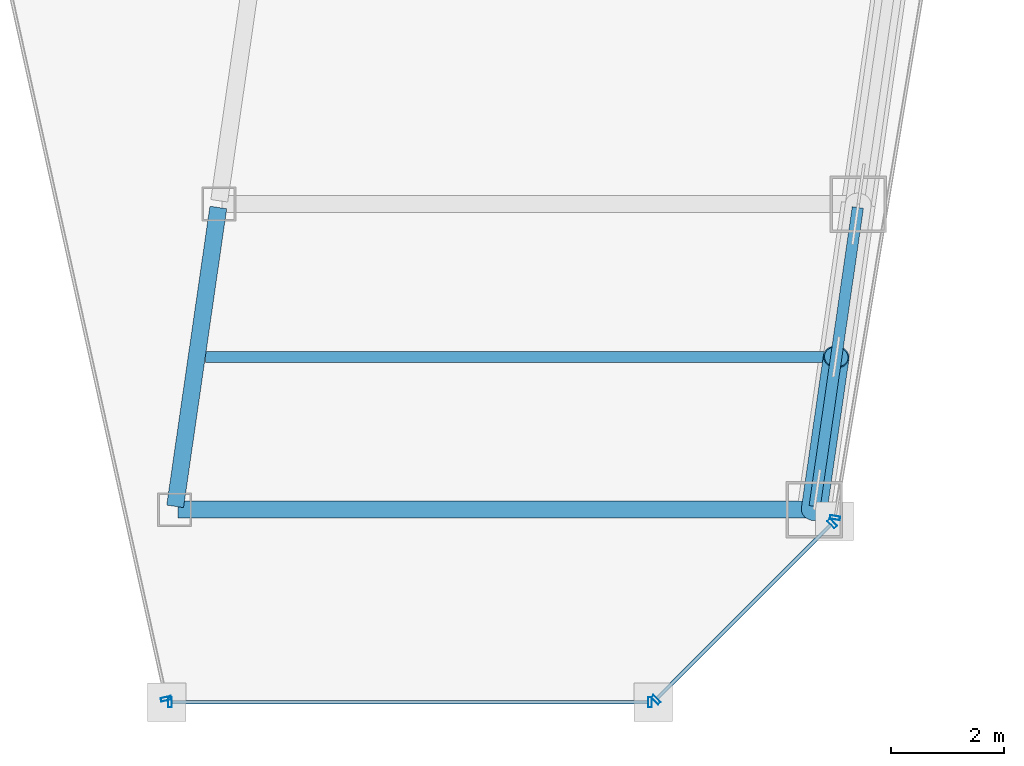
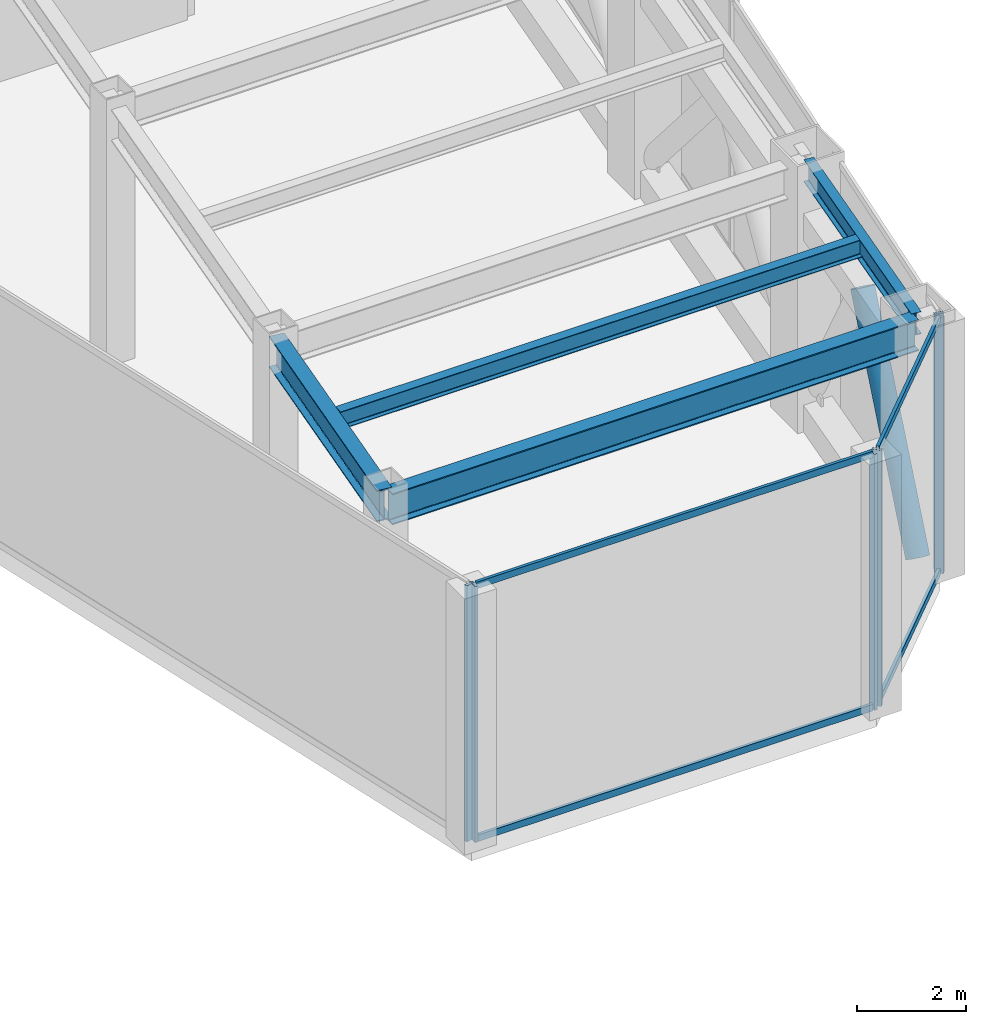
# One storey, part 11 of 30: 11 members, 4 beams, 4 elements without a shape of their own.
"""IFC4 building model written with IfcOpenShell, lengths in metres."""

from ifc_helpers import new_model, si_unit, direction, frame, origin, origin_2d, place, context, subcontext, project, spatial, hollow_rectangle, hollow_circle, i_section, extrude, material, material_profile, profile_set, type_object, element, aggregate, save


model = new_model("IFC4")

# Units and contexts
model_context = context("Model", 3, precision=1e-05, world=origin(), true_north=direction((0.0, 1.0)))
body_context = subcontext(model_context, "Body", "Model", "MODEL_VIEW")
ifc_project = project(units=[si_unit("LENGTHUNIT", "METRE"), si_unit("AREAUNIT", "SQUARE_METRE"), si_unit("VOLUMEUNIT", "CUBIC_METRE"), si_unit("PLANEANGLEUNIT", "RADIAN"), si_unit("MASSUNIT", "GRAM", prefix="KILO")], contexts=[model_context])

# Site, building, storey
site_placement = place(None, origin())
site = spatial("IfcSite", under=ifc_project, at=site_placement, CompositionType="ELEMENT")
building_placement = place(site_placement, origin())
building = spatial("IfcBuilding", under=site, at=building_placement, Name="Saevonmaru Cultural Tower", CompositionType="ELEMENT")
storey_placement = place(building_placement, frame((0.0, 0.0, 123.60009765625)))
storey = spatial("IfcBuildingStorey", under=building, at=storey_placement, Name="L26", CompositionType="ELEMENT", Elevation=123.60009765625)

# Beams
ifc_material_1 = material(Name="Steel SM355", Category="steel")
ifc_material_profile_1 = material_profile(ifc_material_1, i_section(OverallWidth=0.300048828125, OverallDepth=0.699951171875, WebThickness=0.012939453125, FlangeThickness=0.02392578125, FilletRadius=0.02587890625, at=origin_2d()), Name="H-700x300x13x24")
ifc_profile_set_1 = profile_set([ifc_material_profile_1], Name="Steel SM355")
beam_type_1 = type_object("IfcBeamType", Name="BM-G-H700", PredefinedType="BEAM", material=ifc_profile_set_1)
beam_1_placement = place(storey_placement, frame((37.300537109375, 10.659423828125, 5.39990234375), z_axis=(0.142977693794, 0.989725911087, 0.0), x_axis=(-0.989725911087, 0.142977693794, 0.0)))
element("IfcBeam", 1, at=beam_1_placement, inside=storey, type_object=beam_type_1, Name="L26 East Atrium Girder 1", PredefinedType="BEAM", context=body_context, shape_type="SweptSolid", body=[
    extrude(i_section(OverallWidth=0.300048828125, OverallDepth=0.699951171875, WebThickness=0.012939453125, FlangeThickness=0.02392578125, FilletRadius=0.02587890625, at=origin_2d()), origin(), (0.0, 0.0, 1.0), 5.336181640625),
])
beam_2_placement = place(storey_placement, frame((37.35205078125, 10.60009765625, 5.39990234375), z_axis=(1.0, 0.0, 0.0), x_axis=(0.0, 1.0, 0.0)))
element("IfcBeam", 2, at=beam_2_placement, inside=storey, type_object=beam_type_1, Name="L26 East Wing Transverse Girder 1", PredefinedType="BEAM", context=body_context, shape_type="SweptSolid", body=[
    extrude(i_section(OverallWidth=0.300048828125, OverallDepth=0.699951171875, WebThickness=0.012939453125, FlangeThickness=0.02392578125, FilletRadius=0.02587890625, at=origin_2d()), origin(), (0.0, 0.0, 1.0), 11.179931640625),
])
ifc_material_profile_2 = material_profile(ifc_material_1, i_section(OverallWidth=0.199951171875, OverallDepth=0.39990234375, WebThickness=0.008056640625, FlangeThickness=0.012939453125, FilletRadius=0.01611328125, at=origin_2d()), Name="H-400x200x8x13")
ifc_profile_set_2 = profile_set([ifc_material_profile_2], Name="Steel SM355")
beam_type_2 = type_object("IfcBeamType", Name="BM-J-H400", PredefinedType="JOIST", material=ifc_profile_set_2)
beam_3_placement = place(storey_placement, frame((37.840087890625, 13.300048828125, 5.5498046875), z_axis=(1.0, 0.0, 0.0), x_axis=(0.0, 1.0, 0.0)))
element("IfcBeam", 3, at=beam_3_placement, inside=storey, type_object=beam_type_2, Name="L26 East Wing Floor Joist 1", PredefinedType="JOIST", context=body_context, shape_type="SweptSolid", body=[
    extrude(i_section(OverallWidth=0.199951171875, OverallDepth=0.39990234375, WebThickness=0.008056640625, FlangeThickness=0.012939453125, FilletRadius=0.01611328125, at=origin_2d()), origin(), (0.0, 0.0, 1.0), 11.08203125),
])
ifc_material_profile_3 = material_profile(ifc_material_1, i_section(OverallWidth=0.199951171875, OverallDepth=0.5, WebThickness=0.010009765625, FlangeThickness=0.01611328125, FilletRadius=0.02001953125, at=origin_2d()), Name="H-500x200x10x16")
ifc_profile_set_3 = profile_set([ifc_material_profile_3], Name="Steel SM355")
beam_type_3 = type_object("IfcBeamType", Name="BM-SP-H500", PredefinedType="SPANDREL", material=ifc_profile_set_3)
beam_4_placement = place(storey_placement, frame((48.6005859375, 10.659423828125, 5.5), z_axis=(0.1429328758, 0.989732384544, 0.0), x_axis=(-0.989732384544, 0.1429328758, 0.0)))
element("IfcBeam", 4, at=beam_4_placement, inside=storey, type_object=beam_type_3, Name="L26 East Splayed Spandrel 1", PredefinedType="SPANDREL", context=body_context, shape_type="SweptSolid", body=[
    extrude(i_section(OverallWidth=0.199951171875, OverallDepth=0.5, WebThickness=0.010009765625, FlangeThickness=0.01611328125, FilletRadius=0.02001953125, at=origin_2d()), origin(), (0.0, 0.0, 1.0), 5.3359375),
])

# Member
ifc_material_2 = material(Name="Steel SM420", Category="steel")
ifc_material_profile_4 = material_profile(ifc_material_2, hollow_circle(Radius=0.228515625, WallThickness=0.02001953125, at=origin_2d()), Name="CHS-457.2x20")
ifc_profile_set_4 = profile_set([ifc_material_profile_4], Name="Steel SM420")
member_type_1 = type_object("IfcMemberType", Name="MB-BBR-CHS457", PredefinedType="BRACE", material=ifc_profile_set_4)
member_1_placement = place(storey_placement, frame((48.592041015625, 10.60009765625, 0.2998046875), z_axis=(0.076564159168, 0.530196015175, 0.84441110546), x_axis=(-0.989733562072, 0.142924721822, 0.0)))
element("IfcMember", 5, at=member_1_placement, inside=storey, type_object=member_type_1, Name="L26 Belt Truss Diagonal BE1-1", PredefinedType="BRACE", context=body_context, shape_type="SweptSolid", body=[
    extrude(hollow_circle(Radius=0.228515625, WallThickness=0.02001953125, at=origin_2d()), origin(), (0.0, 0.0, 1.0), 5.09228515625),
])

# Curtain wall, member
ifc_material_3 = material(Name="Satin Bronze Anodised Aluminium", Category="aluminium")
curtain_wall_type = type_object("IfcCurtainWallType", Name="CW-TYP-A", PredefinedType="NOTDEFINED", material=ifc_material_3)
curtain_wall_1_placement = place(storey_placement, origin())
curtain_wall_1 = element("IfcCurtainWall", 6, at=curtain_wall_1_placement, inside=storey, type_object=curtain_wall_type, Name="L26 Wind-Floor Acoustic Louvre Screen E5", PredefinedType="NOTDEFINED")
ifc_material_profile_5 = material_profile(ifc_material_3, hollow_rectangle(XDim=0.06494140625, YDim=0.179931640625, WallThickness=0.00390625, at=origin_2d()), Name="ALU-MULL-180x65x4")
ifc_profile_set_5 = profile_set([ifc_material_profile_5], Name="Satin Bronze Anodised Aluminium")
member_type_2 = type_object("IfcMemberType", Name="ML-CW-180x65", PredefinedType="MULLION", material=ifc_profile_set_5)
member_2_placement = place(storey_placement, frame((37.13818359375, 7.258544921875, 0.0), z_axis=(0.0, 0.0, 1.0), x_axis=(0.215413319953, -0.976522965212, 0.0)))
member_2 = element("IfcMember", 7, at=member_2_placement, type_object=member_type_2, Name="CW-TW-L26-E5 mullion 2", PredefinedType="MULLION", context=body_context, shape_type="SweptSolid", body=[
    extrude(hollow_rectangle(XDim=0.06494140625, YDim=0.179931640625, WallThickness=0.00390625, at=origin_2d()), origin(), (0.0, 0.0, 1.0), 5.75),
])
aggregate(curtain_wall_1, [member_2])

# Curtain wall, members
curtain_wall_2_placement = place(storey_placement, origin())
curtain_wall_2 = element("IfcCurtainWall", 8, at=curtain_wall_2_placement, inside=storey, type_object=curtain_wall_type, Name="L26 Wind-Floor Acoustic Louvre Screen E6", PredefinedType="NOTDEFINED")
member_3_placement = place(storey_placement, frame((37.211181640625, 7.199951171875, 0.0), z_axis=(0.0, 0.0, 1.0), x_axis=(1.0, 0.0, 0.0)))
member_3 = element("IfcMember", 9, at=member_3_placement, type_object=member_type_2, Name="CW-TW-L26-E6 mullion 1", PredefinedType="MULLION", context=body_context, shape_type="SweptSolid", body=[
    extrude(hollow_rectangle(XDim=0.06494140625, YDim=0.179931640625, WallThickness=0.00390625, at=origin_2d()), origin(), (0.0, 0.0, 1.0), 5.75),
])
member_4_placement = place(storey_placement, frame((45.691162109375, 7.199951171875, 0.0), z_axis=(0.0, 0.0, 1.0), x_axis=(1.0, 0.0, 0.0)))
member_4 = element("IfcMember", 10, at=member_4_placement, type_object=member_type_2, Name="CW-TW-L26-E6 mullion 2", PredefinedType="MULLION", context=body_context, shape_type="SweptSolid", body=[
    extrude(hollow_rectangle(XDim=0.06494140625, YDim=0.179931640625, WallThickness=0.00390625, at=origin_2d()), origin(), (0.0, 0.0, 1.0), 5.75),
])

curtain_wall_3_placement = place(storey_placement, origin())
curtain_wall_3 = element("IfcCurtainWall", 11, at=curtain_wall_3_placement, inside=storey, type_object=curtain_wall_type, Name="L26 Wind-Floor Acoustic Louvre Screen E7", PredefinedType="NOTDEFINED")
member_5_placement = place(storey_placement, frame((45.79345703125, 7.242431640625, 0.0), z_axis=(0.0, 0.0, 1.0), x_axis=(0.707106781187, 0.707106781187, 0.0)))
member_5 = element("IfcMember", 12, at=member_5_placement, type_object=member_type_2, Name="CW-TW-L26-E7 mullion 1", PredefinedType="MULLION", context=body_context, shape_type="SweptSolid", body=[
    extrude(hollow_rectangle(XDim=0.06494140625, YDim=0.179931640625, WallThickness=0.00390625, at=origin_2d()), origin(), (0.0, 0.0, 1.0), 5.75),
])
member_6_placement = place(storey_placement, frame((48.90869140625, 10.357666015625, 0.0), z_axis=(0.0, 0.0, 1.0), x_axis=(0.707106781187, 0.707106781187, 0.0)))
member_6 = element("IfcMember", 13, at=member_6_placement, type_object=member_type_2, Name="CW-TW-L26-E7 mullion 2", PredefinedType="MULLION", context=body_context, shape_type="SweptSolid", body=[
    extrude(hollow_rectangle(XDim=0.06494140625, YDim=0.179931640625, WallThickness=0.00390625, at=origin_2d()), origin(), (0.0, 0.0, 1.0), 5.75),
])

# Curtain wall, member
curtain_wall_4_placement = place(storey_placement, origin())
curtain_wall_4 = element("IfcCurtainWall", 14, at=curtain_wall_4_placement, inside=storey, type_object=curtain_wall_type, Name="L26 Wind-Floor Acoustic Louvre Screen E8", PredefinedType="NOTDEFINED")
member_7_placement = place(storey_placement, frame((48.9609375, 10.459228515625, 0.0), z_axis=(0.0, 0.0, 1.0), x_axis=(0.163998702345, 0.986460554523, 0.0)))
member_7 = element("IfcMember", 15, at=member_7_placement, type_object=member_type_2, Name="CW-TW-L26-E8 mullion 1", PredefinedType="MULLION", context=body_context, shape_type="SweptSolid", body=[
    extrude(hollow_rectangle(XDim=0.06494140625, YDim=0.179931640625, WallThickness=0.00390625, at=origin_2d()), origin(), (0.0, 0.0, 1.0), 5.75),
])
aggregate(curtain_wall_4, [member_7])

# Member
ifc_material_profile_6 = material_profile(ifc_material_3, hollow_rectangle(XDim=0.06494140625, YDim=0.14990234375, WallThickness=0.00390625, at=origin_2d()), Name="ALU-TRAN-150x65x4")
ifc_profile_set_6 = profile_set([ifc_material_profile_6], Name="Satin Bronze Anodised Aluminium")
member_type_3 = type_object("IfcMemberType", Name="TR-CW-150x65", PredefinedType="USERDEFINED", material=ifc_profile_set_6)
member_8_placement = place(storey_placement, frame((37.24365234375, 7.199951171875, 0.032470703125), z_axis=(1.0, 0.0, 0.0), x_axis=(0.0, 1.0, 0.0)))
member_8 = element("IfcMember", 16, at=member_8_placement, type_object=member_type_3, Name="CW-TW-L26-E6 transom 1.1", ObjectType="TRANSOM", PredefinedType="USERDEFINED", context=body_context, shape_type="SweptSolid", body=[
    extrude(hollow_rectangle(XDim=0.06494140625, YDim=0.14990234375, WallThickness=0.00390625, at=origin_2d()), origin(), (0.0, 0.0, 1.0), 8.4150390625),
])

member_9_placement = place(storey_placement, frame((37.24365234375, 7.199951171875, 5.71728515625), z_axis=(1.0, 0.0, 0.0), x_axis=(0.0, 1.0, 0.0)))
member_9 = element("IfcMember", 17, at=member_9_placement, type_object=member_type_3, Name="CW-TW-L26-E6 transom 1.2", ObjectType="TRANSOM", PredefinedType="USERDEFINED", context=body_context, shape_type="SweptSolid", body=[
    extrude(hollow_rectangle(XDim=0.06494140625, YDim=0.14990234375, WallThickness=0.00390625, at=origin_2d()), origin(), (0.0, 0.0, 1.0), 8.4150390625),
])

aggregate(curtain_wall_2, [member_3, member_4, member_8, member_9])

member_10_placement = place(storey_placement, frame((45.81640625, 7.265380859375, 0.032470703125), z_axis=(0.707106781187, 0.707106781187, 0.0), x_axis=(-0.707106781187, 0.707106781187, 0.0)))
member_10 = element("IfcMember", 18, at=member_10_placement, type_object=member_type_3, Name="CW-TW-L26-E7 transom 1.1", ObjectType="TRANSOM", PredefinedType="USERDEFINED", context=body_context, shape_type="SweptSolid", body=[
    extrude(hollow_rectangle(XDim=0.06494140625, YDim=0.14990234375, WallThickness=0.00390625, at=origin_2d()), origin(), (0.0, 0.0, 1.0), 4.340576171875),
])

member_11_placement = place(storey_placement, frame((45.81640625, 7.265380859375, 5.71728515625), z_axis=(0.707106781187, 0.707106781187, 0.0), x_axis=(-0.707106781187, 0.707106781187, 0.0)))
member_11 = element("IfcMember", 19, at=member_11_placement, type_object=member_type_3, Name="CW-TW-L26-E7 transom 1.2", ObjectType="TRANSOM", PredefinedType="USERDEFINED", context=body_context, shape_type="SweptSolid", body=[
    extrude(hollow_rectangle(XDim=0.06494140625, YDim=0.14990234375, WallThickness=0.00390625, at=origin_2d()), origin(), (0.0, 0.0, 1.0), 4.340576171875),
])

aggregate(curtain_wall_3, [member_5, member_6, member_10, member_11])

save(model, "model.ifc")
